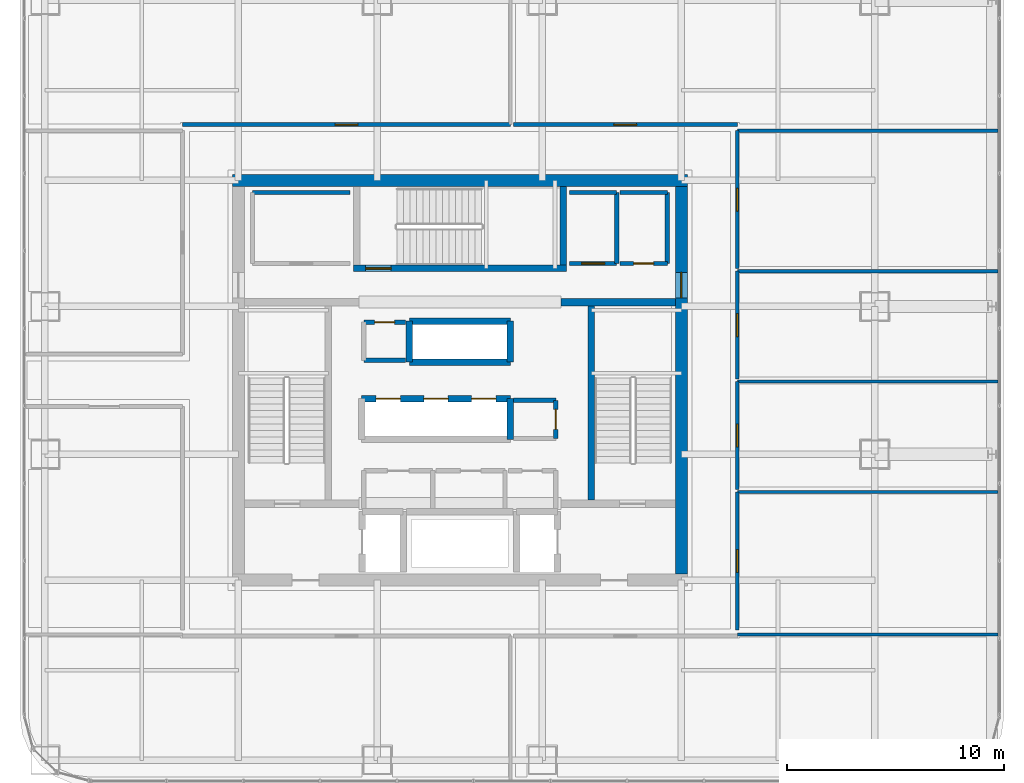
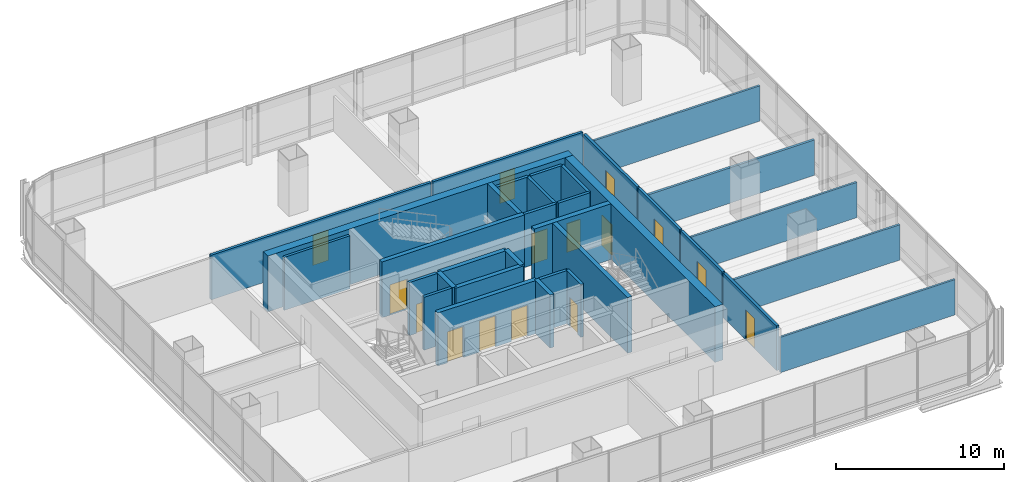
# One storey, part 34 of 39: 34 walls, 15 doors, 15 openings.
"""IFC4 building model written with IfcOpenShell, lengths in metres."""

from ifc_helpers import new_model, si_unit, direction, frame, frame_2d, origin, place, context, subcontext, project, spatial, rectangle, extrude, material, layer, layer_set, type_object, element, fill, save


model = new_model("IFC4")

# Units and contexts
model_context = context("Model", 3, precision=1e-05, world=origin(), true_north=direction((0.0, 1.0)))
body_context = subcontext(model_context, "Body", "Model", "MODEL_VIEW")
ifc_project = project(units=[si_unit("LENGTHUNIT", "METRE"), si_unit("AREAUNIT", "SQUARE_METRE"), si_unit("VOLUMEUNIT", "CUBIC_METRE"), si_unit("PLANEANGLEUNIT", "RADIAN"), si_unit("MASSUNIT", "GRAM", prefix="KILO")], contexts=[model_context])

# Site, building, storey
site_placement = place(None, origin())
site = spatial("IfcSite", under=ifc_project, at=site_placement, CompositionType="ELEMENT")
building_placement = place(site_placement, origin())
building = spatial("IfcBuilding", under=site, at=building_placement, Name="Punatoya Terracotta Tower", CompositionType="ELEMENT")
storey_placement = place(building_placement, frame((0.0, 0.0, 275.699951171875)))
storey = spatial("IfcBuildingStorey", under=building, at=storey_placement, Name="L65", CompositionType="ELEMENT", Elevation=275.699951171875)

# Wall
ifc_material_1 = material(Name="Concrete C50/60", Category="concrete")
ifc_layer_1 = layer(ifc_material_1, 0.550048828125)
ifc_layer_set_1 = layer_set([ifc_layer_1], Name="Concrete C50/60")
wall_type_1 = type_object("IfcWallType", Name="WL-COR-550", PredefinedType="SHEAR", material=ifc_layer_set_1)
wall_1_placement = place(storey_placement, frame((-10.47509765625, 9.199951171875, 0.0), z_axis=(0.0, 0.0, 1.0), x_axis=(1.0, 0.0, 0.0)))
element("IfcWall", 1, at=wall_1_placement, inside=storey, type_object=wall_type_1, Name="L65 Core Shear Wall N", PredefinedType="SHEAR", context=body_context, shape_type="SweptSolid", body=[
    extrude(rectangle(XDim=20.9501953125, YDim=0.550048828125, at=frame_2d((10.47509765625, 0.0))), origin(), (0.0, 0.0, 1.0), 4.050048828125),
])

# Wall, opening, door
wall_2_placement = place(storey_placement, frame((10.199951171875, 8.925048828125, 0.0), z_axis=(0.0, 0.0, 1.0), x_axis=(0.0, -1.0, 0.0)))
wall_2 = element("IfcWall", 2, at=wall_2_placement, inside=storey, type_object=wall_type_1, Name="L65 Core Shear Wall E", PredefinedType="SHEAR", context=body_context, shape_type="SweptSolid", body=[
    extrude(rectangle(XDim=17.85009765625, YDim=0.550048828125, at=frame_2d((8.925048828125, 0.0))), origin(), (0.0, 0.0, 1.0), 4.050048828125),
])
opening_1_placement = place(wall_2_placement, frame((3.955078125, 0.0, 0.0)))
opening_1 = element("IfcOpeningElement", 3, at=opening_1_placement, cuts=wall_2, Name="Opening SD-01", PredefinedType="OPENING", context=body_context, shape_type="SweptSolid", body=[
    extrude(rectangle(XDim=1.179931640625, YDim=2.199951171875, at=frame_2d((0.58984375, 1.10009765625))), frame((0.0, 0.284912109375, 0.0), z_axis=(0.0, -1.0, 0.0), x_axis=(1.0, 0.0, 0.0)), (0.0, 0.0, 1.0), 0.570068359375),
])
ifc_material_2 = material(Name="Galvanised Steel Pressurized Stair Fire Door", Category="steel")
door_type_1 = type_object("IfcDoorType", Name="DR-STR-1180", OperationType="NOTDEFINED", PredefinedType="DOOR", material=ifc_material_2)
door_1_placement = place(opening_1_placement, origin())
door_1 = element("IfcDoor", 4, at=door_1_placement, inside=storey, type_object=door_type_1, Name="L65 Central Lift Lobby East Fire Door", OperationType="SINGLE_SWING_RIGHT", OverallHeight=2.199951171875, OverallWidth=1.179931640625, PredefinedType="DOOR", context=body_context, shape_type="SweptSolid", body=[
    extrude(rectangle(XDim=1.179931640625, YDim=2.199951171875, at=frame_2d((0.58984375, 1.10009765625))), frame((0.0, 0.02490234375, 0.0), z_axis=(0.0, -1.0, 0.0), x_axis=(1.0, 0.0, 0.0)), (0.0, 0.0, 1.0), 0.050048828125),
])
fill(opening_1, door_1)

# Wall
ifc_material_3 = material(Name="Gypsum Fireboard + Steel Stud", Category="steel")
ifc_layer_2 = layer(ifc_material_3, 0.179931640625)
ifc_layer_set_2 = layer_set([ifc_layer_2], Name="Gypsum Fireboard + Steel Stud")
wall_type_2 = type_object("IfcWallType", Name="WL-CORR-180", PredefinedType="PARTITIONING", material=ifc_layer_set_2)
wall_3_placement = place(storey_placement, frame((-5.050048828125, 8.64990234375, 0.0), z_axis=(0.0, 0.0, 1.0), x_axis=(-1.0, 0.0, 0.0)))
element("IfcWall", 5, at=wall_3_placement, inside=storey, type_object=wall_type_2, Name="L65 West Core Records Office Partition 14", PredefinedType="PARTITIONING", context=body_context, shape_type="SweptSolid", body=[
    extrude(rectangle(XDim=4.5, YDim=0.179931640625, at=frame_2d((2.25, 0.0))), origin(), (0.0, 0.0, 1.0), 3.85009765625),
])

# Wall, opening, door
wall_4_placement = place(storey_placement, frame((12.77001953125, -11.489990234375, 0.0), z_axis=(0.0, 0.0, 1.0), x_axis=(0.0, 1.0, 0.0)))
wall_4 = element("IfcWall", 6, at=wall_4_placement, inside=storey, type_object=wall_type_2, Name="L65 Project Design Office Partition 29", PredefinedType="PARTITIONING", context=body_context, shape_type="SweptSolid", body=[
    extrude(rectangle(XDim=6.347900390625, YDim=0.179931640625, at=frame_2d((3.173828125, 0.0))), origin(), (0.0, 0.0, 1.0), 3.244140625),
])
opening_2_placement = place(wall_4_placement, frame((2.64892578125, 0.0, 0.0)))
opening_2 = element("IfcOpeningElement", 7, at=opening_2_placement, cuts=wall_4, Name="Opening OD-01", PredefinedType="OPENING", context=body_context, shape_type="SweptSolid", body=[
    extrude(rectangle(XDim=1.050048828125, YDim=2.199951171875, at=frame_2d((0.52490234375, 1.10009765625))), frame((0.0, 0.099853515625, 0.0), z_axis=(0.0, -1.0, 0.0), x_axis=(1.0, 0.0, 0.0)), (0.0, 0.0, 1.0), 0.199951171875),
])
ifc_material_4 = material(Name="Bengal Teak Solid-Core Leaf")
door_type_2 = type_object("IfcDoorType", Name="DR-OFF-1050", OperationType="NOTDEFINED", PredefinedType="DOOR", material=ifc_material_4)
door_2_placement = place(opening_2_placement, origin())
door_2 = element("IfcDoor", 8, at=door_2_placement, inside=storey, type_object=door_type_2, Name="L65 Project Design Office Door", OperationType="SINGLE_SWING_LEFT", OverallHeight=2.199951171875, OverallWidth=1.050048828125, PredefinedType="DOOR", context=body_context, shape_type="SweptSolid", body=[
    extrude(rectangle(XDim=1.050048828125, YDim=2.199951171875, at=frame_2d((0.52490234375, 1.10009765625))), frame((0.0, 0.02490234375, 0.0), z_axis=(0.0, -1.0, 0.0), x_axis=(1.0, 0.0, 0.0)), (0.0, 0.0, 1.0), 0.050048828125),
])
fill(opening_2, door_2)

wall_5_placement = place(storey_placement, frame((12.77001953125, -5.02197265625, 0.0), z_axis=(0.0, 0.0, 1.0), x_axis=(0.0, 1.0, 0.0)))
wall_5 = element("IfcWall", 9, at=wall_5_placement, inside=storey, type_object=wall_type_2, Name="L65 Open-Plan Digital Reference Library Partition 33", PredefinedType="PARTITIONING", context=body_context, shape_type="SweptSolid", body=[
    extrude(rectangle(XDim=4.9619140625, YDim=0.179931640625, at=frame_2d((2.48095703125, 0.0))), origin(), (0.0, 0.0, 1.0), 3.244140625),
])
opening_3_placement = place(wall_5_placement, frame((1.9560546875, 0.0, 0.0)))
opening_3 = element("IfcOpeningElement", 10, at=opening_3_placement, cuts=wall_5, Name="Opening OD-01", PredefinedType="OPENING", context=body_context, shape_type="SweptSolid", body=[
    extrude(rectangle(XDim=1.050048828125, YDim=2.199951171875, at=frame_2d((0.52490234375, 1.10009765625))), frame((0.0, 0.099853515625, 0.0), z_axis=(0.0, -1.0, 0.0), x_axis=(1.0, 0.0, 0.0)), (0.0, 0.0, 1.0), 0.199951171875),
])
door_3_placement = place(opening_3_placement, origin())
door_3 = element("IfcDoor", 11, at=door_3_placement, inside=storey, type_object=door_type_2, Name="L65 Open-Plan Digital Reference Library Door", OperationType="SINGLE_SWING_LEFT", OverallHeight=2.199951171875, OverallWidth=1.050048828125, PredefinedType="DOOR", context=body_context, shape_type="SweptSolid", body=[
    extrude(rectangle(XDim=1.050048828125, YDim=2.199951171875, at=frame_2d((0.52490234375, 1.10009765625))), frame((0.0, 0.02490234375, 0.0), z_axis=(0.0, -1.0, 0.0), x_axis=(1.0, 0.0, 0.0)), (0.0, 0.0, 1.0), 0.050048828125),
])
fill(opening_3, door_3)

wall_6_placement = place(storey_placement, frame((12.77001953125, 0.06005859375, 0.0), z_axis=(0.0, 0.0, 1.0), x_axis=(0.0, 1.0, 0.0)))
wall_6 = element("IfcWall", 12, at=wall_6_placement, inside=storey, type_object=wall_type_2, Name="L65 Open-Plan Staff Tea Pantry Partition 35", PredefinedType="PARTITIONING", context=body_context, shape_type="SweptSolid", body=[
    extrude(rectangle(XDim=4.9619140625, YDim=0.179931640625, at=frame_2d((2.48095703125, 0.0))), origin(), (0.0, 0.0, 1.0), 3.244140625),
])
opening_4_placement = place(wall_6_placement, frame((1.9560546875, 0.0, 0.0)))
opening_4 = element("IfcOpeningElement", 13, at=opening_4_placement, cuts=wall_6, Name="Opening OD-01", PredefinedType="OPENING", context=body_context, shape_type="SweptSolid", body=[
    extrude(rectangle(XDim=1.050048828125, YDim=2.199951171875, at=frame_2d((0.52490234375, 1.10009765625))), frame((0.0, 0.099853515625, 0.0), z_axis=(0.0, -1.0, 0.0), x_axis=(1.0, 0.0, 0.0)), (0.0, 0.0, 1.0), 0.199951171875),
])
door_4_placement = place(opening_4_placement, origin())
door_4 = element("IfcDoor", 14, at=door_4_placement, inside=storey, type_object=door_type_2, Name="L65 Open-Plan Staff Tea Pantry Door", OperationType="SINGLE_SWING_RIGHT", OverallHeight=2.199951171875, OverallWidth=1.050048828125, PredefinedType="DOOR", context=body_context, shape_type="SweptSolid", body=[
    extrude(rectangle(XDim=1.050048828125, YDim=2.199951171875, at=frame_2d((0.52490234375, 1.10009765625))), frame((0.0, 0.02490234375, 0.0), z_axis=(0.0, -1.0, 0.0), x_axis=(1.0, 0.0, 0.0)), (0.0, 0.0, 1.0), 0.050048828125),
])
fill(opening_4, door_4)

wall_7_placement = place(storey_placement, frame((12.77001953125, 5.14208984375, 0.0), z_axis=(0.0, 0.0, 1.0), x_axis=(0.0, 1.0, 0.0)))
wall_7 = element("IfcWall", 15, at=wall_7_placement, inside=storey, type_object=wall_type_2, Name="L65 Systems Engineering Office Partition 40", PredefinedType="PARTITIONING", context=body_context, shape_type="SweptSolid", body=[
    extrude(rectangle(XDim=6.347900390625, YDim=0.179931640625, at=frame_2d((3.173828125, 0.0))), origin(), (0.0, 0.0, 1.0), 3.244140625),
])
opening_5_placement = place(wall_7_placement, frame((2.64892578125, 0.0, 0.0)))
opening_5 = element("IfcOpeningElement", 16, at=opening_5_placement, cuts=wall_7, Name="Opening OD-01", PredefinedType="OPENING", context=body_context, shape_type="SweptSolid", body=[
    extrude(rectangle(XDim=1.050048828125, YDim=2.199951171875, at=frame_2d((0.52490234375, 1.10009765625))), frame((0.0, 0.099853515625, 0.0), z_axis=(0.0, -1.0, 0.0), x_axis=(1.0, 0.0, 0.0)), (0.0, 0.0, 1.0), 0.199951171875),
])
door_5_placement = place(opening_5_placement, origin())
door_5 = element("IfcDoor", 17, at=door_5_placement, inside=storey, type_object=door_type_2, Name="L65 Systems Engineering Office Door", OperationType="SINGLE_SWING_RIGHT", OverallHeight=2.199951171875, OverallWidth=1.050048828125, PredefinedType="DOOR", context=body_context, shape_type="SweptSolid", body=[
    extrude(rectangle(XDim=1.050048828125, YDim=2.199951171875, at=frame_2d((0.52490234375, 1.10009765625))), frame((0.0, 0.02490234375, 0.0), z_axis=(0.0, -1.0, 0.0), x_axis=(1.0, 0.0, 0.0)), (0.0, 0.0, 1.0), 0.050048828125),
])
fill(opening_5, door_5)

wall_8_placement = place(storey_placement, frame((2.340087890625, 11.77001953125, 0.0), z_axis=(0.0, 0.0, 1.0), x_axis=(-1.0, 0.0, 0.0)))
wall_8 = element("IfcWall", 18, at=wall_8_placement, inside=storey, type_object=wall_type_2, Name="L65 Quantitative Practice Office Partition 42", PredefinedType="PARTITIONING", context=body_context, shape_type="SweptSolid", body=[
    extrude(rectangle(XDim=15.110107421875, YDim=0.179931640625, at=frame_2d((7.55517578125, 0.0))), origin(), (0.0, 0.0, 1.0), 3.244140625),
])
opening_6_placement = place(wall_8_placement, frame((7.030029296875, 0.0, 0.0)))
opening_6 = element("IfcOpeningElement", 19, at=opening_6_placement, cuts=wall_8, Name="Opening OD-01", PredefinedType="OPENING", context=body_context, shape_type="SweptSolid", body=[
    extrude(rectangle(XDim=1.050048828125, YDim=2.199951171875, at=frame_2d((0.52490234375, 1.10009765625))), frame((0.0, 0.099853515625, 0.0), z_axis=(0.0, -1.0, 0.0), x_axis=(1.0, 0.0, 0.0)), (0.0, 0.0, 1.0), 0.199951171875),
])
door_6_placement = place(opening_6_placement, origin())
door_6 = element("IfcDoor", 20, at=door_6_placement, inside=storey, type_object=door_type_2, Name="L65 Quantitative Practice Office Door", OperationType="SINGLE_SWING_LEFT", OverallHeight=2.199951171875, OverallWidth=1.050048828125, PredefinedType="DOOR", context=body_context, shape_type="SweptSolid", body=[
    extrude(rectangle(XDim=1.050048828125, YDim=2.199951171875, at=frame_2d((0.52490234375, 1.10009765625))), frame((0.0, 0.02490234375, 0.0), z_axis=(0.0, -1.0, 0.0), x_axis=(1.0, 0.0, 0.0)), (0.0, 0.0, 1.0), 0.050048828125),
])
fill(opening_6, door_6)

wall_9_placement = place(storey_placement, frame((12.77001953125, 11.77001953125, 0.0), z_axis=(0.0, 0.0, 1.0), x_axis=(-1.0, 0.0, 0.0)))
wall_9 = element("IfcWall", 21, at=wall_9_placement, inside=storey, type_object=wall_type_2, Name="L65 Regional Operations Office Partition 43", PredefinedType="PARTITIONING", context=body_context, shape_type="SweptSolid", body=[
    extrude(rectangle(XDim=10.31005859375, YDim=0.179931640625, at=frame_2d((5.155029296875, 0.0))), origin(), (0.0, 0.0, 1.0), 3.244140625),
])
opening_7_placement = place(wall_9_placement, frame((4.6298828125, 0.0, 0.0)))
opening_7 = element("IfcOpeningElement", 22, at=opening_7_placement, cuts=wall_9, Name="Opening OD-01", PredefinedType="OPENING", context=body_context, shape_type="SweptSolid", body=[
    extrude(rectangle(XDim=1.050048828125, YDim=2.199951171875, at=frame_2d((0.52490234375, 1.10009765625))), frame((0.0, 0.099853515625, 0.0), z_axis=(0.0, -1.0, 0.0), x_axis=(1.0, 0.0, 0.0)), (0.0, 0.0, 1.0), 0.199951171875),
])
door_7_placement = place(opening_7_placement, origin())
door_7 = element("IfcDoor", 23, at=door_7_placement, inside=storey, type_object=door_type_2, Name="L65 Regional Operations Office Door", OperationType="SINGLE_SWING_RIGHT", OverallHeight=2.199951171875, OverallWidth=1.050048828125, PredefinedType="DOOR", context=body_context, shape_type="SweptSolid", body=[
    extrude(rectangle(XDim=1.050048828125, YDim=2.199951171875, at=frame_2d((0.52490234375, 1.10009765625))), frame((0.0, 0.02490234375, 0.0), z_axis=(0.0, -1.0, 0.0), x_axis=(1.0, 0.0, 0.0)), (0.0, 0.0, 1.0), 0.050048828125),
])
fill(opening_7, door_7)

ifc_material_5 = material(Name="Concrete C40/50", Category="concrete")
ifc_layer_3 = layer(ifc_material_5, 0.199951171875)
ifc_layer_set_3 = layer_set([ifc_layer_3], Name="Concrete C40/50")
wall_type_3 = type_object("IfcWallType", Name="WL-INT-200", PredefinedType="SOLIDWALL", material=ifc_layer_set_3)
wall_10_placement = place(storey_placement, frame((4.419921875, -2.679931640625, 0.0), z_axis=(0.0, 0.0, 1.0), x_axis=(0.0, 1.0, 0.0)))
wall_10 = element("IfcWall", 24, at=wall_10_placement, inside=storey, type_object=wall_type_3, Name="L65 East Core Reprographics Store Partition 08", PredefinedType="SOLIDWALL", context=body_context, shape_type="SweptSolid", body=[
    extrude(rectangle(XDim=1.760009765625, YDim=0.199951171875, at=frame_2d((0.8798828125, 0.0))), origin(), (0.0, 0.0, 1.0), 3.85009765625),
])
opening_8_placement = place(wall_10_placement, frame((0.419921875, 0.0, 0.0)))
opening_8 = element("IfcOpeningElement", 25, at=opening_8_placement, cuts=wall_10, Name="Opening FD-R1", PredefinedType="OPENING", context=body_context, shape_type="SweptSolid", body=[
    extrude(rectangle(XDim=0.919921875, YDim=2.10009765625, at=frame_2d((0.4599609375, 1.050048828125))), frame((0.0, 0.10986328125, 0.0), z_axis=(0.0, -1.0, 0.0), x_axis=(1.0, 0.0, 0.0)), (0.0, 0.0, 1.0), 0.219970703125),
])
ifc_material_6 = material(Name="Galvanised Steel Riser Fire Access Door", Category="steel")
door_type_3 = type_object("IfcDoorType", Name="DR-RSR-920", OperationType="NOTDEFINED", PredefinedType="DOOR", material=ifc_material_6)
door_8_placement = place(opening_8_placement, origin())
door_8 = element("IfcDoor", 26, at=door_8_placement, inside=storey, type_object=door_type_3, Name="L65 East Core Reprographics Store Fire Door", OperationType="SINGLE_SWING_RIGHT", OverallHeight=2.10009765625, OverallWidth=0.919921875, PredefinedType="DOOR", context=body_context, shape_type="SweptSolid", body=[
    extrude(rectangle(XDim=0.919921875, YDim=2.10009765625, at=frame_2d((0.4599609375, 1.050048828125))), frame((0.0, 0.02490234375, 0.0), z_axis=(0.0, -1.0, 0.0), x_axis=(1.0, 0.0, 0.0)), (0.0, 0.0, 1.0), 0.050048828125),
])
fill(opening_8, door_8)

# Wall
wall_11_placement = place(storey_placement, frame((4.419921875, -0.919921875, 0.0), z_axis=(0.0, 0.0, 1.0), x_axis=(-1.0, 0.0, 0.0)))
element("IfcWall", 27, at=wall_11_placement, inside=storey, type_object=wall_type_3, Name="L65 East Core Reprographics Store Partition 09", PredefinedType="SOLIDWALL", context=body_context, shape_type="SweptSolid", body=[
    extrude(rectangle(XDim=1.93994140625, YDim=0.199951171875, at=frame_2d((0.969970703125, 0.0))), origin(), (0.0, 0.0, 1.0), 3.85009765625),
])

# Wall, opening, door
wall_12_placement = place(storey_placement, frame((-2.5, 2.679931640625, 0.0), z_axis=(0.0, 0.0, 1.0), x_axis=(-1.0, 0.0, 0.0)))
wall_12 = element("IfcWall", 28, at=wall_12_placement, inside=storey, type_object=wall_type_3, Name="L65 Core Security Equipment Closet Partition 11", PredefinedType="SOLIDWALL", context=body_context, shape_type="SweptSolid", body=[
    extrude(rectangle(XDim=1.919921875, YDim=0.199951171875, at=frame_2d((0.9599609375, 0.0))), origin(), (0.0, 0.0, 1.0), 3.85009765625),
])
opening_9_placement = place(wall_12_placement, frame((0.5, 0.0, 0.0)))
opening_9 = element("IfcOpeningElement", 29, at=opening_9_placement, cuts=wall_12, Name="Opening FD-R1", PredefinedType="OPENING", context=body_context, shape_type="SweptSolid", body=[
    extrude(rectangle(XDim=0.919921875, YDim=2.10009765625, at=frame_2d((0.4599609375, 1.050048828125))), frame((0.0, 0.10986328125, 0.0), z_axis=(0.0, -1.0, 0.0), x_axis=(1.0, 0.0, 0.0)), (0.0, 0.0, 1.0), 0.219970703125),
])
door_9_placement = place(opening_9_placement, origin())
door_9 = element("IfcDoor", 30, at=door_9_placement, inside=storey, type_object=door_type_3, Name="L65 Core Security Equipment Closet Fire Door", OperationType="SINGLE_SWING_LEFT", OverallHeight=2.10009765625, OverallWidth=0.919921875, PredefinedType="DOOR", context=body_context, shape_type="SweptSolid", body=[
    extrude(rectangle(XDim=0.919921875, YDim=2.10009765625, at=frame_2d((0.4599609375, 1.050048828125))), frame((0.0, 0.02490234375, 0.0), z_axis=(0.0, -1.0, 0.0), x_axis=(1.0, 0.0, 0.0)), (0.0, 0.0, 1.0), 0.050048828125),
])
fill(opening_9, door_9)

# Walls
wall_13_placement = place(storey_placement, frame((-4.419921875, 0.919921875, 0.0), z_axis=(0.0, 0.0, 1.0), x_axis=(1.0, 0.0, 0.0)))
element("IfcWall", 31, at=wall_13_placement, inside=storey, type_object=wall_type_3, Name="L65 Core Security Equipment Closet Partition 13", PredefinedType="SOLIDWALL", context=body_context, shape_type="SweptSolid", body=[
    extrude(rectangle(XDim=1.919921875, YDim=0.199951171875, at=frame_2d((0.9599609375, 0.0))), origin(), (0.0, 0.0, 1.0), 3.85009765625),
])
wall_14_placement = place(storey_placement, frame((7.219970703125, 5.3798828125, 0.0), z_axis=(0.0, 0.0, 1.0), x_axis=(0.0, 1.0, 0.0)))
element("IfcWall", 32, at=wall_14_placement, inside=storey, type_object=wall_type_3, Name="L65 East Core Pantry Partition 17", PredefinedType="SOLIDWALL", context=body_context, shape_type="SweptSolid", body=[
    extrude(rectangle(XDim=3.27001953125, YDim=0.199951171875, at=frame_2d((1.635009765625, 0.0))), origin(), (0.0, 0.0, 1.0), 3.85009765625),
])
wall_15_placement = place(storey_placement, frame((7.219970703125, 8.64990234375, 0.0), z_axis=(0.0, 0.0, 1.0), x_axis=(-1.0, 0.0, 0.0)))
element("IfcWall", 33, at=wall_15_placement, inside=storey, type_object=wall_type_3, Name="L65 East Core Pantry Partition 18", PredefinedType="SOLIDWALL", context=body_context, shape_type="SweptSolid", body=[
    extrude(rectangle(XDim=2.169921875, YDim=0.199951171875, at=frame_2d((1.0849609375, 0.0))), origin(), (0.0, 0.0, 1.0), 3.85009765625),
])

# Wall, opening, door
wall_16_placement = place(storey_placement, frame((5.050048828125, 5.3798828125, 0.0), z_axis=(0.0, 0.0, 1.0), x_axis=(1.0, 0.0, 0.0)))
wall_16 = element("IfcWall", 34, at=wall_16_placement, inside=storey, type_object=wall_type_3, Name="L65 East Core Pantry Partition 19", PredefinedType="SOLIDWALL", context=body_context, shape_type="SweptSolid", body=[
    extrude(rectangle(XDim=2.169921875, YDim=0.199951171875, at=frame_2d((1.0849609375, 0.0))), origin(), (0.0, 0.0, 1.0), 3.85009765625),
])
opening_10_placement = place(wall_16_placement, frame((0.56005859375, 0.0, 0.0)))
opening_10 = element("IfcOpeningElement", 35, at=opening_10_placement, cuts=wall_16, Name="Opening OD-01", PredefinedType="OPENING", context=body_context, shape_type="SweptSolid", body=[
    extrude(rectangle(XDim=1.050048828125, YDim=2.199951171875, at=frame_2d((0.52490234375, 1.10009765625))), frame((0.0, 0.10986328125, 0.0), z_axis=(0.0, -1.0, 0.0), x_axis=(1.0, 0.0, 0.0)), (0.0, 0.0, 1.0), 0.219970703125),
])
door_10_placement = place(opening_10_placement, origin())
door_10 = element("IfcDoor", 36, at=door_10_placement, inside=storey, type_object=door_type_2, Name="L65 East Pantry Door", OperationType="SINGLE_SWING_LEFT", OverallHeight=2.199951171875, OverallWidth=1.050048828125, PredefinedType="DOOR", context=body_context, shape_type="SweptSolid", body=[
    extrude(rectangle(XDim=1.050048828125, YDim=2.199951171875, at=frame_2d((0.52490234375, 1.10009765625))), frame((0.0, 0.02490234375, 0.0), z_axis=(0.0, -1.0, 0.0), x_axis=(1.0, 0.0, 0.0)), (0.0, 0.0, 1.0), 0.050048828125),
])
fill(opening_10, door_10)

# Walls
wall_17_placement = place(storey_placement, frame((9.550048828125, 5.3798828125, 0.0), z_axis=(0.0, 0.0, 1.0), x_axis=(0.0, 1.0, 0.0)))
element("IfcWall", 37, at=wall_17_placement, inside=storey, type_object=wall_type_3, Name="L65 East Core Store Partition 20", PredefinedType="SOLIDWALL", context=body_context, shape_type="SweptSolid", body=[
    extrude(rectangle(XDim=3.27001953125, YDim=0.199951171875, at=frame_2d((1.635009765625, 0.0))), origin(), (0.0, 0.0, 1.0), 3.85009765625),
])
wall_18_placement = place(storey_placement, frame((9.550048828125, 8.64990234375, 0.0), z_axis=(0.0, 0.0, 1.0), x_axis=(-1.0, 0.0, 0.0)))
element("IfcWall", 38, at=wall_18_placement, inside=storey, type_object=wall_type_3, Name="L65 East Core Store Partition 21", PredefinedType="SOLIDWALL", context=body_context, shape_type="SweptSolid", body=[
    extrude(rectangle(XDim=2.170166015625, YDim=0.199951171875, at=frame_2d((1.0849609375, 0.0))), origin(), (0.0, 0.0, 1.0), 3.85009765625),
])

# Wall, opening, door
wall_19_placement = place(storey_placement, frame((7.3798828125, 5.3798828125, 0.0), z_axis=(0.0, 0.0, 1.0), x_axis=(1.0, 0.0, 0.0)))
wall_19 = element("IfcWall", 39, at=wall_19_placement, inside=storey, type_object=wall_type_3, Name="L65 East Core Store Partition 22", PredefinedType="SOLIDWALL", context=body_context, shape_type="SweptSolid", body=[
    extrude(rectangle(XDim=2.170166015625, YDim=0.199951171875, at=frame_2d((1.0849609375, 0.0))), origin(), (0.0, 0.0, 1.0), 3.85009765625),
])
opening_11_placement = place(wall_19_placement, frame((0.625, 0.0, 0.0)))
opening_11 = element("IfcOpeningElement", 40, at=opening_11_placement, cuts=wall_19, Name="Opening FD-R1", PredefinedType="OPENING", context=body_context, shape_type="SweptSolid", body=[
    extrude(rectangle(XDim=0.919921875, YDim=2.10009765625, at=frame_2d((0.4599609375, 1.050048828125))), frame((0.0, 0.10986328125, 0.0), z_axis=(0.0, -1.0, 0.0), x_axis=(1.0, 0.0, 0.0)), (0.0, 0.0, 1.0), 0.219970703125),
])
door_11_placement = place(opening_11_placement, origin())
door_11 = element("IfcDoor", 41, at=door_11_placement, inside=storey, type_object=door_type_3, Name="L65 East Core Store Fire Door", OperationType="SINGLE_SWING_RIGHT", OverallHeight=2.10009765625, OverallWidth=0.919921875, PredefinedType="DOOR", context=body_context, shape_type="SweptSolid", body=[
    extrude(rectangle(XDim=0.919921875, YDim=2.10009765625, at=frame_2d((0.4599609375, 1.050048828125))), frame((0.0, 0.02490234375, 0.0), z_axis=(0.0, -1.0, 0.0), x_axis=(1.0, 0.0, 0.0)), (0.0, 0.0, 1.0), 0.050048828125),
])
fill(opening_11, door_11)

# Walls
ifc_material_7 = material(Name="Acoustic Gypsum + Steel Stud", Category="steel")
ifc_layer_4 = layer(ifc_material_7, 0.139892578125)
ifc_layer_set_4 = layer_set([ifc_layer_4], Name="Acoustic Gypsum + Steel Stud")
wall_type_4 = type_object("IfcWallType", Name="WL-OFF-140", PredefinedType="PARTITIONING", material=ifc_layer_set_4)
for number, where, z_axis, x_axis, name in (
    (42, (12.77001953125, -11.7099609375, 0.0), (0.0, 0.0, 1.0), (1.0, 0.0, 0.0), "L65 Open-Plan Analytical Practice Office Partition 26"),
    (43, (12.77001953125, -5.14208984375, 0.0), (0.0, 0.0, 1.0), (1.0, 0.0, 0.0), "L65 Project Design Office Partition 28"),
    (44, (12.77001953125, -0.06005859375, 0.0), (0.0, 0.0, 1.0), (1.0, 0.0, 0.0), "L65 Open-Plan Digital Reference Library Partition 32"),
    (45, (12.77001953125, 11.489990234375, 0.0), (0.0, 0.0, 1.0), (1.0, 0.0, 0.0), "L65 Systems Engineering Office Partition 39"),
):
    element("IfcWall", number, at=place(storey_placement, frame(where, z_axis=z_axis, x_axis=x_axis)), inside=storey, type_object=wall_type_4, Name=name, PredefinedType="PARTITIONING", context=body_context, shape_type="SweptSolid", body=[
        extrude(rectangle(XDim=12.0, YDim=0.139892578125, at=frame_2d((6.0, 0.0))), origin(), (0.0, 0.0, 1.0), 2.56396484375),
    ])
ifc_layer_5 = layer(ifc_material_5, 0.300048828125)
ifc_layer_set_5 = layer_set([ifc_layer_5], Name="Concrete C40/50")
wall_type_5 = type_object("IfcWallType", Name="WL-SHF-300", PredefinedType="SOLIDWALL", material=ifc_layer_set_5)
wall_20_placement = place(storey_placement, frame((6.050048828125, 3.449951171875, 0.0), z_axis=(0.0, 0.0, 1.0), x_axis=(0.0, -1.0, 0.0)))
element("IfcWall", 46, at=wall_20_placement, inside=storey, type_object=wall_type_5, Name="L65 Structural Stair Shaft Wall SW-ST2-W", PredefinedType="SOLIDWALL", context=body_context, shape_type="SweptSolid", body=[
    extrude(rectangle(XDim=8.949951171875, YDim=0.300048828125, at=frame_2d((4.47509765625, 0.0))), origin(), (0.0, 0.0, 1.0), 4.050048828125),
])
wall_21_placement = place(storey_placement, frame((4.75, 8.925048828125, 0.0), z_axis=(0.0, 0.0, 1.0), x_axis=(0.0, -1.0, 0.0)))
element("IfcWall", 47, at=wall_21_placement, inside=storey, type_object=wall_type_5, Name="L65 Structural Stair Shaft Wall SW-ST3-E", PredefinedType="SOLIDWALL", context=body_context, shape_type="SweptSolid", body=[
    extrude(rectangle(XDim=3.625, YDim=0.300048828125, at=frame_2d((1.8125, 0.0))), origin(), (0.0, 0.0, 1.0), 4.050048828125),
])

# Wall, opening, door
wall_22_placement = place(storey_placement, frame((-4.89990234375, 5.14990234375, 0.0), z_axis=(0.0, 0.0, 1.0), x_axis=(1.0, 0.0, 0.0)))
wall_22 = element("IfcWall", 48, at=wall_22_placement, inside=storey, type_object=wall_type_5, Name="L65 Structural Stair Shaft Wall SW-ST3-S", PredefinedType="SOLIDWALL", context=body_context, shape_type="SweptSolid", body=[
    extrude(rectangle(XDim=9.7998046875, YDim=0.300048828125, at=frame_2d((4.89990234375, 0.0))), origin(), (0.0, 0.0, 1.0), 4.050048828125),
])
opening_12_placement = place(wall_22_placement, frame((0.56005859375, 0.0, 0.0)))
opening_12 = element("IfcOpeningElement", 49, at=opening_12_placement, cuts=wall_22, Name="Opening SD-01", PredefinedType="OPENING", context=body_context, shape_type="SweptSolid", body=[
    extrude(rectangle(XDim=1.179931640625, YDim=2.199951171875, at=frame_2d((0.58984375, 1.10009765625))), frame((0.0, 0.159912109375, 0.0), z_axis=(0.0, -1.0, 0.0), x_axis=(1.0, 0.0, 0.0)), (0.0, 0.0, 1.0), 0.320068359375),
])
door_12_placement = place(opening_12_placement, origin())
door_12 = element("IfcDoor", 50, at=door_12_placement, inside=storey, type_object=door_type_1, Name="L65 Stair ST-3 Core Lobby Fire Door", OperationType="SINGLE_SWING_LEFT", OverallHeight=2.199951171875, OverallWidth=1.179931640625, PredefinedType="DOOR", context=body_context, shape_type="SweptSolid", body=[
    extrude(rectangle(XDim=1.179931640625, YDim=2.199951171875, at=frame_2d((0.58984375, 1.10009765625))), frame((0.0, 0.02490234375, 0.0), z_axis=(0.0, -1.0, 0.0), x_axis=(1.0, 0.0, 0.0)), (0.0, 0.0, 1.0), 0.050048828125),
])
fill(opening_12, door_12)

# Wall, openings, doors
wall_23_placement = place(storey_placement, frame((-4.52001953125, -0.840087890625, 0.0), z_axis=(0.0, 0.0, 1.0), x_axis=(1.0, 0.0, 0.0)))
wall_23 = element("IfcWall", 51, at=wall_23_placement, inside=storey, type_object=wall_type_5, Name="L65 South Lift Bank Front Shaft Wall", PredefinedType="SOLIDWALL", context=body_context, shape_type="SweptSolid", body=[
    extrude(rectangle(XDim=6.840087890625, YDim=0.300048828125, at=frame_2d((3.419921875, 0.0))), origin(), (0.0, 0.0, 1.0), 3.85009765625),
])
opening_13_placement = place(wall_23_placement, frame((0.659912109375, 0.0, 0.0)))
opening_13 = element("IfcOpeningElement", 52, at=opening_13_placement, cuts=wall_23, Name="Opening LD-02", PredefinedType="OPENING", context=body_context, shape_type="SweptSolid", body=[
    extrude(rectangle(XDim=1.1201171875, YDim=2.25, at=frame_2d((0.56005859375, 1.125))), frame((0.0, 0.159912109375, 0.0), z_axis=(0.0, -1.0, 0.0), x_axis=(1.0, 0.0, 0.0)), (0.0, 0.0, 1.0), 0.320068359375),
])
opening_14_placement = place(wall_23_placement, frame((2.860107421875, 0.0, 0.0)))
opening_14 = element("IfcOpeningElement", 53, at=opening_14_placement, cuts=wall_23, Name="Opening LD-02", PredefinedType="OPENING", context=body_context, shape_type="SweptSolid", body=[
    extrude(rectangle(XDim=1.1201171875, YDim=2.25, at=frame_2d((0.56005859375, 1.125))), frame((0.0, 0.159912109375, 0.0), z_axis=(0.0, -1.0, 0.0), x_axis=(1.0, 0.0, 0.0)), (0.0, 0.0, 1.0), 0.320068359375),
])
opening_15_placement = place(wall_23_placement, frame((5.06005859375, 0.0, 0.0)))
opening_15 = element("IfcOpeningElement", 54, at=opening_15_placement, cuts=wall_23, Name="Opening LD-02", PredefinedType="OPENING", context=body_context, shape_type="SweptSolid", body=[
    extrude(rectangle(XDim=1.1201171875, YDim=2.25, at=frame_2d((0.56005859375, 1.125))), frame((0.0, 0.159912109375, 0.0), z_axis=(0.0, -1.0, 0.0), x_axis=(1.0, 0.0, 0.0)), (0.0, 0.0, 1.0), 0.320068359375),
])
ifc_material_8 = material(Name="Stainless Steel Lift Landing Door", Category="steel")
door_type_4 = type_object("IfcDoorType", Name="DR-LND-1120", OperationType="NOTDEFINED", PredefinedType="DOOR", material=ifc_material_8)
door_13_placement = place(opening_13_placement, origin())
door_13 = element("IfcDoor", 55, at=door_13_placement, inside=storey, type_object=door_type_4, Name="L65 Lift PL-H1 Sliding Landing Door", OperationType="DOUBLE_DOOR_SLIDING", OverallHeight=2.25, OverallWidth=1.1201171875, PredefinedType="DOOR", context=body_context, shape_type="SweptSolid", body=[
    extrude(rectangle(XDim=1.1201171875, YDim=2.25, at=frame_2d((0.56005859375, 1.125))), frame((0.0, 0.02490234375, 0.0), z_axis=(0.0, -1.0, 0.0), x_axis=(1.0, 0.0, 0.0)), (0.0, 0.0, 1.0), 0.050048828125),
])
fill(opening_13, door_13)
door_14_placement = place(opening_14_placement, origin())
door_14 = element("IfcDoor", 56, at=door_14_placement, inside=storey, type_object=door_type_4, Name="L65 Lift PL-H2 Sliding Landing Door", OperationType="DOUBLE_DOOR_SLIDING", OverallHeight=2.25, OverallWidth=1.1201171875, PredefinedType="DOOR", context=body_context, shape_type="SweptSolid", body=[
    extrude(rectangle(XDim=1.1201171875, YDim=2.25, at=frame_2d((0.56005859375, 1.125))), frame((0.0, 0.02490234375, 0.0), z_axis=(0.0, -1.0, 0.0), x_axis=(1.0, 0.0, 0.0)), (0.0, 0.0, 1.0), 0.050048828125),
])
fill(opening_14, door_14)
door_15_placement = place(opening_15_placement, origin())
door_15 = element("IfcDoor", 57, at=door_15_placement, inside=storey, type_object=door_type_4, Name="L65 Lift PL-H3 Sliding Landing Door", OperationType="DOUBLE_DOOR_SLIDING", OverallHeight=2.25, OverallWidth=1.1201171875, PredefinedType="DOOR", context=body_context, shape_type="SweptSolid", body=[
    extrude(rectangle(XDim=1.1201171875, YDim=2.25, at=frame_2d((0.56005859375, 1.125))), frame((0.0, 0.02490234375, 0.0), z_axis=(0.0, -1.0, 0.0), x_axis=(1.0, 0.0, 0.0)), (0.0, 0.0, 1.0), 0.050048828125),
])
fill(opening_15, door_15)

# Walls
wall_24_placement = place(storey_placement, frame((2.320068359375, -2.719970703125, 0.0), z_axis=(0.0, 0.0, 1.0), x_axis=(0.0, 1.0, 0.0)))
element("IfcWall", 58, at=wall_24_placement, inside=storey, type_object=wall_type_5, Name="L65 South Lift Bank East End Wall", PredefinedType="SOLIDWALL", context=body_context, shape_type="SweptSolid", body=[
    extrude(rectangle(XDim=1.8798828125, YDim=0.300048828125, at=frame_2d((0.93994140625, 0.0))), origin(), (0.0, 0.0, 1.0), 3.85009765625),
])
for number, where, z_axis, x_axis, name in (
    (59, (-2.320068359375, 0.840087890625, 0.0), (0.0, 0.0, 1.0), (1.0, 0.0, 0.0), "L65 North Lift Bank Front Shaft Wall"),
    (60, (-2.320068359375, 2.719970703125, 0.0), (0.0, 0.0, 1.0), (1.0, 0.0, 0.0), "L65 North Lift Bank Rear Shaft Wall"),
):
    element("IfcWall", number, at=place(storey_placement, frame(where, z_axis=z_axis, x_axis=x_axis)), inside=storey, type_object=wall_type_5, Name=name, PredefinedType="SOLIDWALL", context=body_context, shape_type="SweptSolid", body=[
        extrude(rectangle(XDim=4.64013671875, YDim=0.300048828125, at=frame_2d((2.320068359375, 0.0))), origin(), (0.0, 0.0, 1.0), 3.85009765625),
    ])
for number, where, z_axis, x_axis, name in (
    (61, (-2.320068359375, 0.840087890625, 0.0), (0.0, 0.0, 1.0), (0.0, 1.0, 0.0), "L65 North Lift Bank West End Wall"),
    (62, (2.320068359375, 0.840087890625, 0.0), (0.0, 0.0, 1.0), (0.0, 1.0, 0.0), "L65 North Lift Bank East End Wall"),
):
    element("IfcWall", number, at=place(storey_placement, frame(where, z_axis=z_axis, x_axis=x_axis)), inside=storey, type_object=wall_type_5, Name=name, PredefinedType="SOLIDWALL", context=body_context, shape_type="SweptSolid", body=[
        extrude(rectangle(XDim=1.8798828125, YDim=0.300048828125, at=frame_2d((0.93994140625, 0.0))), origin(), (0.0, 0.0, 1.0), 3.85009765625),
    ])
ifc_layer_6 = layer(ifc_material_1, 0.35009765625)
ifc_layer_set_6 = layer_set([ifc_layer_6], Name="Concrete C50/60")
wall_type_6 = type_object("IfcWallType", Name="WL-SHF-350", PredefinedType="SOLIDWALL", material=ifc_layer_set_6)
wall_25_placement = place(storey_placement, frame((4.64990234375, 3.60009765625, 0.0), z_axis=(0.0, 0.0, 1.0), x_axis=(1.0, 0.0, 0.0)))
element("IfcWall", 63, at=wall_25_placement, inside=storey, type_object=wall_type_6, Name="L65 Core Web Wall CNW-R", PredefinedType="SOLIDWALL", context=body_context, shape_type="SweptSolid", body=[
    extrude(rectangle(XDim=5.275146484375, YDim=0.35009765625, at=frame_2d((2.6376953125, 0.0))), origin(), (0.0, 0.0, 1.0), 4.050048828125),
])
ifc_material_9 = material(Name="Masonry Blockwork + Ceramic Tile", Category="masonry")
ifc_layer_7 = layer(ifc_material_9, 0.159912109375)
ifc_layer_set_7 = layer_set([ifc_layer_7], Name="Masonry Blockwork + Ceramic Tile")
wall_type_7 = type_object("IfcWallType", Name="WL-WET-160", PredefinedType="PARTITIONING", material=ifc_layer_set_7)
wall_26_placement = place(storey_placement, frame((12.77001953125, 5.02197265625, 0.0), z_axis=(0.0, 0.0, 1.0), x_axis=(1.0, 0.0, 0.0)))
element("IfcWall", 64, at=wall_26_placement, inside=storey, type_object=wall_type_7, Name="L65 Open-Plan Staff Tea Pantry Partition 34", PredefinedType="PARTITIONING", context=body_context, shape_type="SweptSolid", body=[
    extrude(rectangle(XDim=12.0, YDim=0.159912109375, at=frame_2d((6.0, 0.0))), origin(), (0.0, 0.0, 1.0), 2.56396484375),
])

save(model, "model.ifc")
